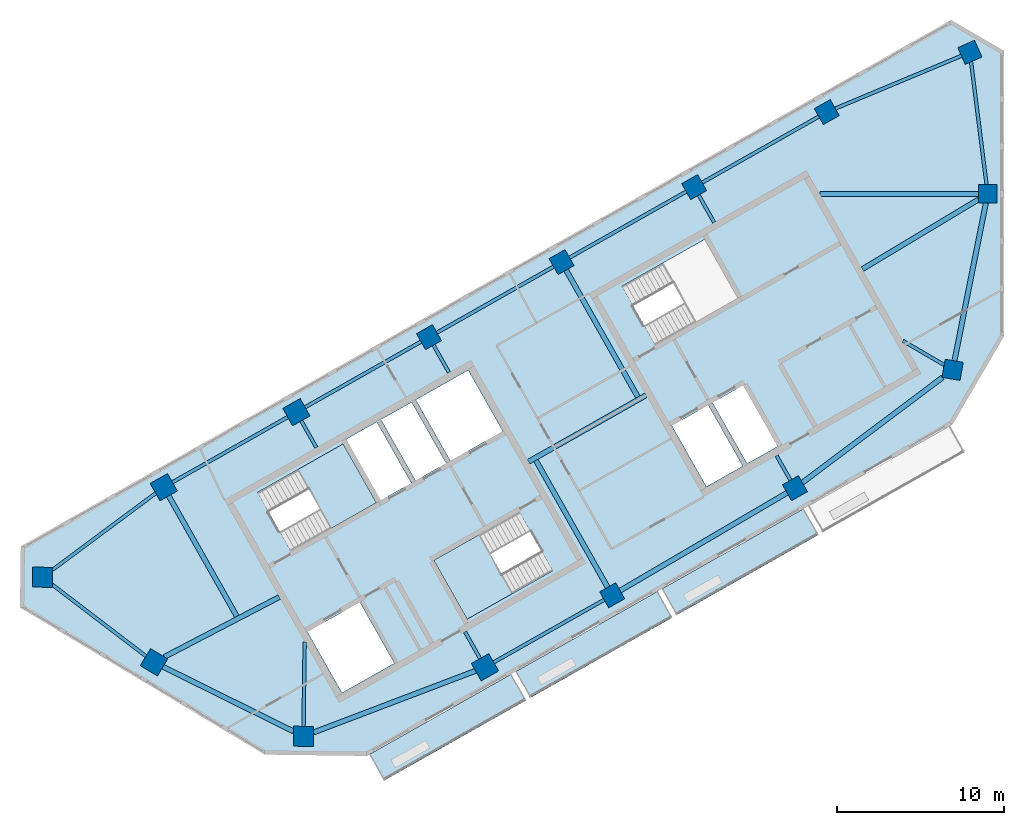
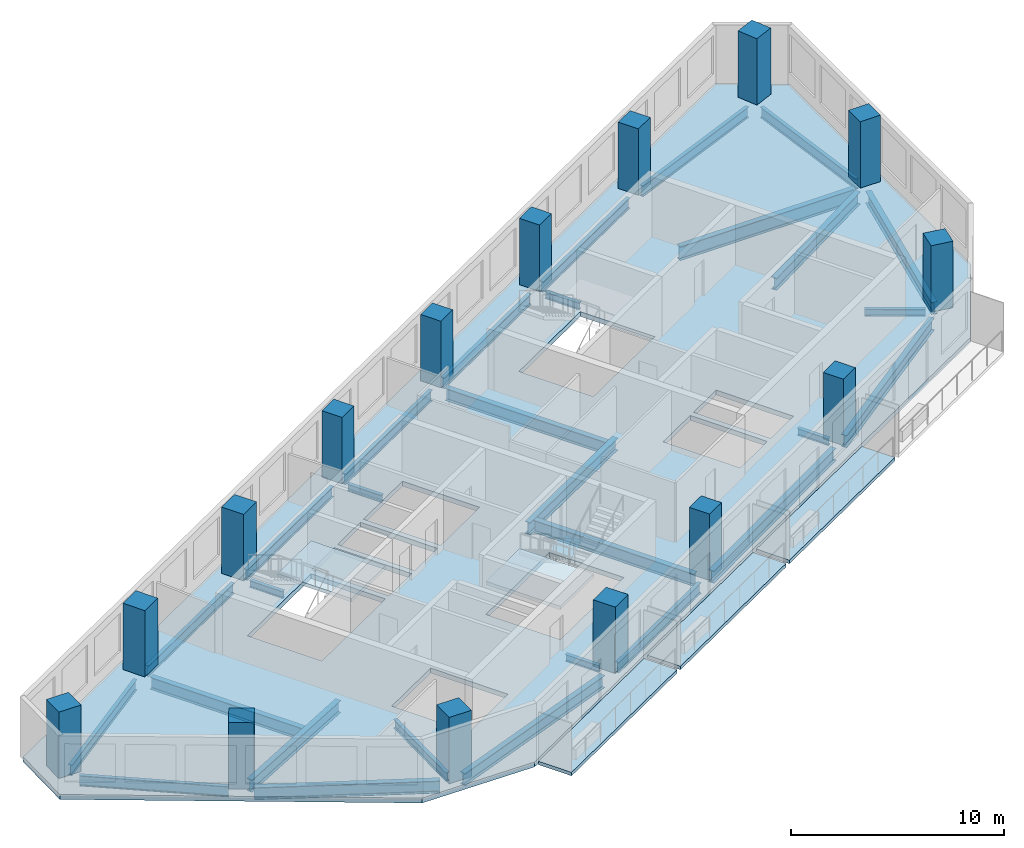
# One storey, part 1 of 7: 29 beams, 15 columns, 6 slabs, 2 elements without a shape of their own.
"""IFC4 building model written with IfcOpenShell, lengths in metres."""

from ifc_helpers import new_model, si_unit, direction, frame, origin, origin_2d, place, context, subcontext, project, spatial, polyline, rectangle, i_section, outline, extrude, material, layer, layer_set, material_profile, profile_set, type_object, element, aggregate, save


model = new_model("IFC4")

# Units and contexts
model_context = context("Model", 3, precision=1e-05, world=origin(), true_north=direction((0.0, 1.0)))
body_context = subcontext(model_context, "Body", "Model", "MODEL_VIEW")
ifc_project = project(units=[si_unit("LENGTHUNIT", "METRE"), si_unit("AREAUNIT", "SQUARE_METRE"), si_unit("VOLUMEUNIT", "CUBIC_METRE"), si_unit("PLANEANGLEUNIT", "RADIAN"), si_unit("MASSUNIT", "GRAM", prefix="KILO")], contexts=[model_context])

# Site, building, storey
site_placement = place(None, origin())
site = spatial("IfcSite", under=ifc_project, at=site_placement, CompositionType="ELEMENT")
building_placement = place(site_placement, origin())
building = spatial("IfcBuilding", under=site, at=building_placement, Name="Binnacle Exchange Tower", CompositionType="ELEMENT")
storey_placement = place(building_placement, frame((0.0, 0.0, 281.699951171875)))
storey = spatial("IfcBuildingStorey", under=building, at=storey_placement, Name="L63", CompositionType="ELEMENT", Elevation=281.699951171875)

# Columns
ifc_material_1 = material(Name="Concrete C60/75", Category="concrete")
ifc_material_profile_1 = material_profile(ifc_material_1, rectangle(XDim=1.10009765625, YDim=1.10009765625, at=origin_2d()), Name="Mega column 1100x1100 C60/75")
ifc_profile_set_1 = profile_set([ifc_material_profile_1], Name="Concrete C60/75")
column_type_1 = type_object("IfcColumnType", Name="Mega column 1100x1100 C60/75", PredefinedType="COLUMN", material=ifc_profile_set_1)
for number, where, z_axis, x_axis, name in (
    (1, (-10.4951171875, 64.901611328125, 0.0), (0.0, 0.0, 1.0), (-0.87035569594, -0.492423560103, 0.0), "S:COL:MC38:L63"),
    (2, (-18.44140625, 60.406005859375, 0.0), (0.0, 0.0, 1.0), (-0.87035569594, -0.492423560103, 0.0), "S:COL:MC29:L63"),
    (3, (-26.3876953125, 55.91015625, 0.0), (0.0, 0.0, 1.0), (-0.87035569594, -0.492423560103, 0.0), "S:COL:MC21:L63"),
    (4, (-34.333740234375, 51.414306640625, 0.0), (0.0, 0.0, 1.0), (-0.87035569594, -0.492423560103, 0.0), "S:COL:MC13:L63"),
    (5, (-23.35595703125, 35.9462890625, 0.0), (0.0, 0.0, 1.0), (0.87035569594, 0.492423560103, 0.0), "S:COL:MC16:L63"),
    (6, (-2.955322265625, 49.45556640625, 0.0), (0.0, 0.0, 1.0), (-0.98522612636, 0.171258517854, 0.0), "S:COL:MC43:L63"),
    (7, (-0.85009765625, 60.0, 0.0), (0.0, 0.0, 1.0), (0.0, 1.0, 0.0), "S:COL:MC45:L63"),
    (8, (-1.920166015625, 68.4833984375, 0.0), (0.0, 0.0, 1.0), (-0.91471298536, -0.40410413808, 0.0), "S:COL:MC44:L63"),
    (9, (-12.39990234375, 42.36328125, 0.0), (0.0, 0.0, 1.0), (0.87035569594, 0.492423560103, 0.0), "S:COL:MC30:L63"),
):
    element("IfcColumn", number, at=place(storey_placement, frame(where, z_axis=z_axis, x_axis=x_axis)), inside=storey, type_object=column_type_1, Name=name, PredefinedType="COLUMN", context=body_context, shape_type="SweptSolid", body=[
        extrude(rectangle(XDim=1.10009765625, YDim=1.10009765625, at=origin_2d()), origin(), (0.0, 0.0, 1.0), 3.800048828125),
    ])
ifc_material_profile_2 = material_profile(ifc_material_1, rectangle(XDim=1.199951171875, YDim=1.199951171875, at=origin_2d()), Name="Mega column 1200x1200 C60/75")
ifc_profile_set_2 = profile_set([ifc_material_profile_2], Name="Concrete C60/75")
column_type_2 = type_object("IfcColumnType", Name="Mega column 1200x1200 C60/75", PredefinedType="COLUMN", material=ifc_profile_set_2)
for number, where, z_axis, x_axis, name in (
    (10, (-42.280029296875, 46.918701171875, 0.0), (0.0, 0.0, 1.0), (-0.87035569594, -0.492423560103, 0.0), "S:COL:MC08:L63"),
    (11, (-50.226318359375, 42.4228515625, 0.0), (0.0, 0.0, 1.0), (-0.87035569594, -0.492423560103, 0.0), "S:COL:MC04:L63"),
    (12, (-57.492919921875, 37.02734375, 0.0), (0.0, 0.0, 1.0), (-0.013089595571, -0.999914327574, 0.0), "S:COL:MC02:L63"),
    (13, (-50.81201171875, 31.930908203125, 0.0), (0.0, 0.0, 1.0), (0.857167300702, -0.51503807491, 0.0), "S:COL:MC01:L63"),
    (14, (-41.857666015625, 27.494873046875, 0.0), (0.0, 0.0, 1.0), (0.999914327574, -0.013089595571, 0.0), "S:COL:MC03:L63"),
    (15, (-30.9755859375, 31.63525390625, 0.0), (0.0, 0.0, 1.0), (0.87035569594, 0.492423560103, 0.0), "S:COL:MC07:L63"),
):
    element("IfcColumn", number, at=place(storey_placement, frame(where, z_axis=z_axis, x_axis=x_axis)), inside=storey, type_object=column_type_2, Name=name, PredefinedType="COLUMN", context=body_context, shape_type="SweptSolid", body=[
        extrude(rectangle(XDim=1.199951171875, YDim=1.199951171875, at=origin_2d()), origin(), (0.0, 0.0, 1.0), 3.800048828125),
    ])

# Beams
ifc_material_2 = material(Name="Steel S355 (SHN355)", Category="steel")
ifc_material_profile_3 = material_profile(ifc_material_2, i_section(OverallWidth=0.199951171875, OverallDepth=0.60009765625, WebThickness=0.010986328125, FlangeThickness=0.01708984375, FilletRadius=0.02197265625, at=origin_2d()), Name="H 600x200x11x17")
ifc_profile_set_3 = profile_set([ifc_material_profile_3], Name="Steel S355 (SHN355)")
beam_type_1 = type_object("IfcBeamType", Name="Edge girder H 600x200x11x17 Steel S355 (SHN355)", PredefinedType="SPANDREL", material=ifc_profile_set_3)
beam_1_placement = place(storey_placement, frame((-56.89892578125, 36.57421875, -0.579833984375), z_axis=(0.795079526259, -0.606505191176, 0.0), x_axis=(0.606505191176, 0.795079526259, 0.0)))
element("IfcBeam", 16, at=beam_1_placement, inside=storey, type_object=beam_type_1, Name="S:BM:edge:L63:004", PredefinedType="SPANDREL", context=body_context, shape_type="SweptSolid", body=[
    extrude(i_section(OverallWidth=0.199951171875, OverallDepth=0.60009765625, WebThickness=0.010986328125, FlangeThickness=0.01708984375, FilletRadius=0.02197265625, at=origin_2d()), origin(), (0.0, 0.0, 1.0), 7.052001953125),
])
ifc_material_profile_4 = material_profile(ifc_material_2, i_section(OverallWidth=0.200927734375, OverallDepth=0.60595703125, WebThickness=0.011962890625, FlangeThickness=0.02001953125, FilletRadius=0.02197265625, at=origin_2d()), Name="H 606x201x12x20")
ifc_profile_set_4 = profile_set([ifc_material_profile_4], Name="Steel S355 (SHN355)")
beam_type_2 = type_object("IfcBeamType", Name="Edge girder H 606x201x12x20 Steel S355 (SHN355)", PredefinedType="SPANDREL", material=ifc_profile_set_4)
beam_2_placement = place(storey_placement, frame((-50.711669921875, 42.0625, -0.5830078125), z_axis=(-0.802889255085, -0.596128211099, 0.0), x_axis=(0.596128211099, -0.802889255085, 0.0)))
element("IfcBeam", 17, at=beam_2_placement, inside=storey, type_object=beam_type_2, Name="S:BM:edge:L63:005", PredefinedType="SPANDREL", context=body_context, shape_type="SweptSolid", body=[
    extrude(i_section(OverallWidth=0.200927734375, OverallDepth=0.60595703125, WebThickness=0.011962890625, FlangeThickness=0.02001953125, FilletRadius=0.02197265625, at=origin_2d()), origin(), (0.0, 0.0, 1.0), 7.691650390625),
])
beam_3_placement = place(storey_placement, frame((-30.453369140625, 31.930908203125, -0.5830078125), z_axis=(0.870370831478, 0.49239680717, 0.0), x_axis=(-0.49239680717, 0.870370831478, 0.0)))
element("IfcBeam", 18, at=beam_3_placement, inside=storey, type_object=beam_type_2, Name="S:BM:edge:L63:010", PredefinedType="SPANDREL", context=body_context, shape_type="SweptSolid", body=[
    extrude(i_section(OverallWidth=0.200927734375, OverallDepth=0.60595703125, WebThickness=0.011962890625, FlangeThickness=0.02001953125, FilletRadius=0.02197265625, at=origin_2d()), origin(), (0.0, 0.0, 1.0), 7.6044921875),
])
beam_4_placement = place(storey_placement, frame((-0.91943359375, 60.550048828125, -0.5830078125), z_axis=(-0.125160121745, 0.992136555079, 0.0), x_axis=(-0.992136555079, -0.125160121745, 0.0)))
element("IfcBeam", 19, at=beam_4_placement, inside=storey, type_object=beam_type_2, Name="S:BM:edge:L63:018", PredefinedType="SPANDREL", context=body_context, shape_type="SweptSolid", body=[
    extrude(i_section(OverallWidth=0.200927734375, OverallDepth=0.60595703125, WebThickness=0.011962890625, FlangeThickness=0.02001953125, FilletRadius=0.02197265625, at=origin_2d()), origin(), (0.0, 0.0, 1.0), 7.422119140625),
])
ifc_material_profile_5 = material_profile(ifc_material_2, i_section(OverallWidth=0.201904296875, OverallDepth=0.612060546875, WebThickness=0.012939453125, FlangeThickness=0.02294921875, FilletRadius=0.02197265625, at=origin_2d()), Name="H 612x202x13x23")
ifc_profile_set_5 = profile_set([ifc_material_profile_5], Name="Steel S355 (SHN355)")
beam_type_3 = type_object("IfcBeamType", Name="Edge girder H 612x202x13x23 Steel S355 (SHN355)", PredefinedType="SPANDREL", material=ifc_profile_set_5)
beam_5_placement = place(storey_placement, frame((-42.80224609375, 46.623291015625, -0.5859375), z_axis=(-0.870360926906, -0.492414314288, 0.0), x_axis=(0.492414314288, -0.870360926906, 0.0)))
element("IfcBeam", 20, at=beam_5_placement, inside=storey, type_object=beam_type_3, Name="S:BM:edge:L63:007", PredefinedType="SPANDREL", context=body_context, shape_type="SweptSolid", body=[
    extrude(i_section(OverallWidth=0.201904296875, OverallDepth=0.612060546875, WebThickness=0.012939453125, FlangeThickness=0.02294921875, FilletRadius=0.02197265625, at=origin_2d()), origin(), (0.0, 0.0, 1.0), 7.929931640625),
])
beam_6_placement = place(storey_placement, frame((-34.8125, 51.1435546875, -0.5859375), z_axis=(-0.870357059543, -0.492421149935, 0.0), x_axis=(0.492421149935, -0.870357059543, 0.0)))
element("IfcBeam", 21, at=beam_6_placement, inside=storey, type_object=beam_type_3, Name="S:BM:edge:L63:009", PredefinedType="SPANDREL", context=body_context, shape_type="SweptSolid", body=[
    extrude(i_section(OverallWidth=0.201904296875, OverallDepth=0.612060546875, WebThickness=0.012939453125, FlangeThickness=0.02294921875, FilletRadius=0.02197265625, at=origin_2d()), origin(), (0.0, 0.0, 1.0), 7.979736328125),
])
beam_7_placement = place(storey_placement, frame((-26.8662109375, 55.639404296875, -0.5859375), z_axis=(-0.870353240257, -0.492427900482, 0.0), x_axis=(0.492427900482, -0.870353240257, 0.0)))
element("IfcBeam", 22, at=beam_7_placement, inside=storey, type_object=beam_type_3, Name="S:BM:edge:L63:011", PredefinedType="SPANDREL", context=body_context, shape_type="SweptSolid", body=[
    extrude(i_section(OverallWidth=0.201904296875, OverallDepth=0.612060546875, WebThickness=0.012939453125, FlangeThickness=0.02294921875, FilletRadius=0.02197265625, at=origin_2d()), origin(), (0.0, 0.0, 1.0), 8.02978515625),
])
beam_8_placement = place(storey_placement, frame((-18.919921875, 60.13525390625, -0.5859375), z_axis=(-0.870347582166, -0.492437900875, 0.0), x_axis=(0.492437900875, -0.870347582166, 0.0)))
element("IfcBeam", 23, at=beam_8_placement, inside=storey, type_object=beam_type_3, Name="S:BM:edge:L63:013", PredefinedType="SPANDREL", context=body_context, shape_type="SweptSolid", body=[
    extrude(i_section(OverallWidth=0.201904296875, OverallDepth=0.612060546875, WebThickness=0.012939453125, FlangeThickness=0.02294921875, FilletRadius=0.02197265625, at=origin_2d()), origin(), (0.0, 0.0, 1.0), 8.030029296875),
])
beam_9_placement = place(storey_placement, frame((-10.973876953125, 64.630859375, -0.5859375), z_axis=(-0.870353240257, -0.492427900482, 0.0), x_axis=(0.492427900482, -0.870353240257, 0.0)))
element("IfcBeam", 24, at=beam_9_placement, inside=storey, type_object=beam_type_3, Name="S:BM:edge:L63:015", PredefinedType="SPANDREL", context=body_context, shape_type="SweptSolid", body=[
    extrude(i_section(OverallWidth=0.201904296875, OverallDepth=0.612060546875, WebThickness=0.012939453125, FlangeThickness=0.02294921875, FilletRadius=0.02197265625, at=origin_2d()), origin(), (0.0, 0.0, 1.0), 8.02978515625),
])
beam_10_placement = place(storey_placement, frame((-2.427734375, 68.271240234375, -0.5859375), z_axis=(-0.922746687756, -0.385406992977, 0.0), x_axis=(0.385406992977, -0.922746687756, 0.0)))
element("IfcBeam", 25, at=beam_10_placement, inside=storey, type_object=beam_type_3, Name="S:BM:edge:L63:017", PredefinedType="SPANDREL", context=body_context, shape_type="SweptSolid", body=[
    extrude(i_section(OverallWidth=0.201904296875, OverallDepth=0.612060546875, WebThickness=0.012939453125, FlangeThickness=0.02294921875, FilletRadius=0.02197265625, at=origin_2d()), origin(), (0.0, 0.0, 1.0), 8.188720703125),
])
ifc_material_profile_6 = material_profile(ifc_material_2, i_section(OverallWidth=0.300048828125, OverallDepth=0.699951171875, WebThickness=0.012939453125, FlangeThickness=0.02392578125, FilletRadius=0.028076171875, at=origin_2d()), Name="H 700x300x13x24")
ifc_profile_set_6 = profile_set([ifc_material_profile_6], Name="Steel S355 (SHN355)")
beam_type_4 = type_object("IfcBeamType", Name="Edge girder H 700x300x13x24 Steel S355 (SHN355)", PredefinedType="SPANDREL", material=ifc_profile_set_6)
beam_11_placement = place(storey_placement, frame((-50.272705078125, 31.663818359375, -0.6298828125), z_axis=(0.896066323919, -0.443920199066, 0.0), x_axis=(0.443920199066, 0.896066323919, 0.0)))
element("IfcBeam", 26, at=beam_11_placement, inside=storey, type_object=beam_type_4, Name="S:BM:edge:L63:006", PredefinedType="SPANDREL", context=body_context, shape_type="SweptSolid", body=[
    extrude(i_section(OverallWidth=0.300048828125, OverallDepth=0.699951171875, WebThickness=0.012939453125, FlangeThickness=0.02392578125, FilletRadius=0.028076171875, at=origin_2d()), origin(), (0.0, 0.0, 1.0), 8.725830078125),
])
beam_12_placement = place(storey_placement, frame((-41.254638671875, 27.724365234375, -0.6298828125), z_axis=(0.934635421438, 0.355607408519, 0.0), x_axis=(-0.355607408519, 0.934635421438, 0.0)))
element("IfcBeam", 27, at=beam_12_placement, inside=storey, type_object=beam_type_4, Name="S:BM:edge:L63:008", PredefinedType="SPANDREL", context=body_context, shape_type="SweptSolid", body=[
    extrude(i_section(OverallWidth=0.300048828125, OverallDepth=0.699951171875, WebThickness=0.012939453125, FlangeThickness=0.02392578125, FilletRadius=0.028076171875, at=origin_2d()), origin(), (0.0, 0.0, 1.0), 10.390869140625),
])
beam_13_placement = place(storey_placement, frame((-11.95654296875, 42.6962890625, -0.6298828125), z_axis=(0.799642767002, 0.600476015493, 0.0), x_axis=(-0.600476015493, 0.799642767002, 0.0)))
element("IfcBeam", 28, at=beam_13_placement, inside=storey, type_object=beam_type_4, Name="S:BM:edge:L63:014", PredefinedType="SPANDREL", context=body_context, shape_type="SweptSolid", body=[
    extrude(i_section(OverallWidth=0.300048828125, OverallDepth=0.699951171875, WebThickness=0.012939453125, FlangeThickness=0.02392578125, FilletRadius=0.028076171875, at=origin_2d()), origin(), (0.0, 0.0, 1.0), 10.50146484375),
])
beam_14_placement = place(storey_placement, frame((-2.84765625, 49.9951171875, -0.6298828125), z_axis=(0.195814210945, 0.980641012191, 0.0), x_axis=(-0.980641012191, 0.195814210945, 0.0)))
element("IfcBeam", 29, at=beam_14_placement, inside=storey, type_object=beam_type_4, Name="S:BM:edge:L63:016", PredefinedType="SPANDREL", context=body_context, shape_type="SweptSolid", body=[
    extrude(i_section(OverallWidth=0.300048828125, OverallDepth=0.699951171875, WebThickness=0.012939453125, FlangeThickness=0.02392578125, FilletRadius=0.028076171875, at=origin_2d()), origin(), (0.0, 0.0, 1.0), 9.6416015625),
])
ifc_material_profile_7 = material_profile(ifc_material_2, i_section(OverallWidth=0.302001953125, OverallDepth=0.7080078125, WebThickness=0.014892578125, FlangeThickness=0.028076171875, FilletRadius=0.028076171875, at=origin_2d()), Name="H 708x302x15x28")
ifc_profile_set_7 = profile_set([ifc_material_profile_7], Name="Steel S355 (SHN355)")
beam_type_5 = type_object("IfcBeamType", Name="Edge girder H 708x302x15x28 Steel S355 (SHN355)", PredefinedType="SPANDREL", material=ifc_profile_set_7)
beam_15_placement = place(storey_placement, frame((-22.88134765625, 36.22412109375, -0.634033203125), z_axis=(0.86288572191, 0.50539908085, 0.0), x_axis=(-0.50539908085, 0.86288572191, 0.0)))
element("IfcBeam", 30, at=beam_15_placement, inside=storey, type_object=beam_type_5, Name="S:BM:edge:L63:012", PredefinedType="SPANDREL", context=body_context, shape_type="SweptSolid", body=[
    extrude(i_section(OverallWidth=0.302001953125, OverallDepth=0.7080078125, WebThickness=0.014892578125, FlangeThickness=0.028076171875, FilletRadius=0.028076171875, at=origin_2d()), origin(), (0.0, 0.0, 1.0), 11.596923828125),
])
ifc_material_profile_8 = material_profile(ifc_material_2, i_section(OverallWidth=0.199951171875, OverallDepth=0.39990234375, WebThickness=0.008056640625, FlangeThickness=0.012939453125, FilletRadius=0.01611328125, at=origin_2d()), Name="H 400x200x8x13")
ifc_profile_set_8 = profile_set([ifc_material_profile_8], Name="Steel S355 (SHN355)")
beam_type_6 = type_object("IfcBeamType", Name="Floor beam H 400x200x8x13 Steel S355 (SHN355)", PredefinedType="BEAM", material=ifc_profile_set_8)
beam_16_placement = place(storey_placement, frame((-41.984619140625, 46.396484375, -0.47998046875), z_axis=(0.492465079532, -0.87033220407, 0.0), x_axis=(0.87033220407, 0.492465079532, 0.0)))
element("IfcBeam", 31, at=beam_16_placement, inside=storey, type_object=beam_type_6, Name="S:BM:cross:L63:020", PredefinedType="BEAM", context=body_context, shape_type="SweptSolid", body=[
    extrude(i_section(OverallWidth=0.199951171875, OverallDepth=0.39990234375, WebThickness=0.008056640625, FlangeThickness=0.012939453125, FilletRadius=0.01611328125, at=origin_2d()), origin(), (0.0, 0.0, 1.0), 1.834228515625),
])
beam_17_placement = place(storey_placement, frame((-34.06298828125, 50.935791015625, -0.47998046875), z_axis=(0.492437150105, -0.870348006947, 0.0), x_axis=(0.870348006947, 0.492437150105, 0.0)))
element("IfcBeam", 32, at=beam_17_placement, inside=storey, type_object=beam_type_6, Name="S:BM:cross:L63:022", PredefinedType="BEAM", context=body_context, shape_type="SweptSolid", body=[
    extrude(i_section(OverallWidth=0.199951171875, OverallDepth=0.39990234375, WebThickness=0.008056640625, FlangeThickness=0.012939453125, FilletRadius=0.01611328125, at=origin_2d()), origin(), (0.0, 0.0, 1.0), 1.884521484375),
])
beam_18_placement = place(storey_placement, frame((-31.27099609375, 32.157470703125, -0.47998046875), z_axis=(-0.492465079532, 0.87033220407, 0.0), x_axis=(-0.87033220407, -0.492465079532, 0.0)))
element("IfcBeam", 33, at=beam_18_placement, inside=storey, type_object=beam_type_6, Name="S:BM:cross:L63:023", PredefinedType="BEAM", context=body_context, shape_type="SweptSolid", body=[
    extrude(i_section(OverallWidth=0.199951171875, OverallDepth=0.39990234375, WebThickness=0.008056640625, FlangeThickness=0.012939453125, FilletRadius=0.01611328125, at=origin_2d()), origin(), (0.0, 0.0, 1.0), 1.834228515625),
])
beam_19_placement = place(storey_placement, frame((-18.17041015625, 59.92724609375, -0.47998046875), z_axis=(0.492394529663, -0.870372119934, 0.0), x_axis=(0.870372119934, 0.492394529663, 0.0)))
element("IfcBeam", 34, at=beam_19_placement, inside=storey, type_object=beam_type_6, Name="S:BM:cross:L63:026", PredefinedType="BEAM", context=body_context, shape_type="SweptSolid", body=[
    extrude(i_section(OverallWidth=0.199951171875, OverallDepth=0.39990234375, WebThickness=0.008056640625, FlangeThickness=0.012939453125, FilletRadius=0.01611328125, at=origin_2d()), origin(), (0.0, 0.0, 1.0), 1.884033203125),
])
beam_20_placement = place(storey_placement, frame((-12.6708984375, 42.841796875, -0.47998046875), z_axis=(-0.492394350893, 0.870372221069, 0.0), x_axis=(-0.870372221069, -0.492394350893, 0.0)))
element("IfcBeam", 35, at=beam_20_placement, inside=storey, type_object=beam_type_6, Name="S:BM:cross:L63:027", PredefinedType="BEAM", context=body_context, shape_type="SweptSolid", body=[
    extrude(i_section(OverallWidth=0.199951171875, OverallDepth=0.39990234375, WebThickness=0.008056640625, FlangeThickness=0.012939453125, FilletRadius=0.01611328125, at=origin_2d()), origin(), (0.0, 0.0, 1.0), 1.6943359375),
])
beam_21_placement = place(storey_placement, frame((-3.46240234375, 49.751220703125, -0.47998046875), z_axis=(-0.863840862356, 0.503764790874, 0.0), x_axis=(-0.503764790874, -0.863840862356, 0.0)))
element("IfcBeam", 36, at=beam_21_placement, inside=storey, type_object=beam_type_6, Name="S:BM:cross:L63:028", PredefinedType="BEAM", context=body_context, shape_type="SweptSolid", body=[
    extrude(i_section(OverallWidth=0.199951171875, OverallDepth=0.39990234375, WebThickness=0.008056640625, FlangeThickness=0.012939453125, FilletRadius=0.01611328125, at=origin_2d()), origin(), (0.0, 0.0, 1.0), 2.85791015625),
])
ifc_material_profile_9 = material_profile(ifc_material_2, i_section(OverallWidth=0.200927734375, OverallDepth=0.506103515625, WebThickness=0.010986328125, FlangeThickness=0.01904296875, FilletRadius=0.02001953125, at=origin_2d()), Name="H 506x201x11x19")
ifc_profile_set_9 = profile_set([ifc_material_profile_9], Name="Steel S355 (SHN355)")
beam_type_7 = type_object("IfcBeamType", Name="Floor beam H 506x201x11x19 Steel S355 (SHN355)", PredefinedType="BEAM", material=ifc_profile_set_9)
beam_22_placement = place(storey_placement, frame((-41.849853515625, 28.0947265625, -0.532958984375), z_axis=(0.013099523714, 0.999914197558, 0.0), x_axis=(-0.999914197558, 0.013099523714, 0.0)))
element("IfcBeam", 37, at=beam_22_placement, inside=storey, type_object=beam_type_7, Name="S:BM:cross:L63:021", PredefinedType="BEAM", context=body_context, shape_type="SweptSolid", body=[
    extrude(i_section(OverallWidth=0.200927734375, OverallDepth=0.506103515625, WebThickness=0.010986328125, FlangeThickness=0.01904296875, FilletRadius=0.02001953125, at=origin_2d()), origin(), (0.0, 0.0, 1.0), 5.05078125),
])
ifc_material_profile_10 = material_profile(ifc_material_2, i_section(OverallWidth=0.300048828125, OverallDepth=0.699951171875, WebThickness=0.012939453125, FlangeThickness=0.02392578125, FilletRadius=0.028076171875, at=origin_2d()), Name="H 700x300x13x24")
ifc_profile_set_10 = profile_set([ifc_material_profile_10], Name="Steel S355 (SHN355)")
beam_type_8 = type_object("IfcBeamType", Name="Floor beam H 700x300x13x24 Steel S355 (SHN355)", PredefinedType="BEAM", material=ifc_profile_set_10)
beam_23_placement = place(storey_placement, frame((-49.9306640625, 41.900634765625, -0.6298828125), z_axis=(0.492421066821, -0.870357106566, 0.0), x_axis=(0.870357106566, 0.492421066821, 0.0)))
element("IfcBeam", 38, at=beam_23_placement, inside=storey, type_object=beam_type_8, Name="S:BM:cross:L63:019", PredefinedType="BEAM", context=body_context, shape_type="SweptSolid", body=[
    extrude(i_section(OverallWidth=0.300048828125, OverallDepth=0.699951171875, WebThickness=0.012939453125, FlangeThickness=0.02392578125, FilletRadius=0.028076171875, at=origin_2d()), origin(), (0.0, 0.0, 1.0), 8.291259765625),
])
ifc_material_profile_11 = material_profile(ifc_material_2, i_section(OverallWidth=0.302001953125, OverallDepth=0.7080078125, WebThickness=0.014892578125, FlangeThickness=0.028076171875, FilletRadius=0.028076171875, at=origin_2d()), Name="H 708x302x15x28")
ifc_profile_set_11 = profile_set([ifc_material_profile_11], Name="Steel S355 (SHN355)")
beam_type_9 = type_object("IfcBeamType", Name="Floor beam H 708x302x15x28 Steel S355 (SHN355)", PredefinedType="BEAM", material=ifc_profile_set_11)
beam_24_placement = place(storey_placement, frame((-26.11669921875, 55.431396484375, -0.634033203125), z_axis=(0.492413671625, -0.870361290497, 0.0), x_axis=(0.870361290497, 0.492413671625, 0.0)))
element("IfcBeam", 39, at=beam_24_placement, inside=storey, type_object=beam_type_9, Name="S:BM:cross:L63:024", PredefinedType="BEAM", context=body_context, shape_type="SweptSolid", body=[
    extrude(i_section(OverallWidth=0.302001953125, OverallDepth=0.7080078125, WebThickness=0.014892578125, FlangeThickness=0.028076171875, FilletRadius=0.028076171875, at=origin_2d()), origin(), (0.0, 0.0, 1.0), 8.734130859375),
])
beam_25_placement = place(storey_placement, frame((-23.626708984375, 36.4248046875, -0.634033203125), z_axis=(-0.492422866295, 0.870356088477, 0.0), x_axis=(-0.870356088477, -0.492422866295, 0.0)))
element("IfcBeam", 40, at=beam_25_placement, inside=storey, type_object=beam_type_9, Name="S:BM:cross:L63:025", PredefinedType="BEAM", context=body_context, shape_type="SweptSolid", body=[
    extrude(i_section(OverallWidth=0.302001953125, OverallDepth=0.7080078125, WebThickness=0.014892578125, FlangeThickness=0.028076171875, FilletRadius=0.028076171875, at=origin_2d()), origin(), (0.0, 0.0, 1.0), 8.734375),
])
ifc_material_profile_12 = material_profile(ifc_material_2, i_section(OverallWidth=0.300048828125, OverallDepth=0.800048828125, WebThickness=0.013916015625, FlangeThickness=0.02587890625, FilletRadius=0.028076171875, at=origin_2d()), Name="H 800x300x14x26")
ifc_profile_set_12 = profile_set([ifc_material_profile_12], Name="Steel S355 (SHN355)")
beam_type_10 = type_object("IfcBeamType", Name="Floor beam H 800x300x14x26 Steel S355 (SHN355)", PredefinedType="BEAM", material=ifc_profile_set_12)
beam_26_placement = place(storey_placement, frame((-1.39990234375, 60.0, -0.679931640625), z_axis=(-1.0, 0.0, 0.0), x_axis=(0.0, -1.0, 0.0)))
element("IfcBeam", 41, at=beam_26_placement, inside=storey, type_object=beam_type_10, Name="S:BM:cross:L63:029", PredefinedType="BEAM", context=body_context, shape_type="SweptSolid", body=[
    extrude(i_section(OverallWidth=0.300048828125, OverallDepth=0.800048828125, WebThickness=0.013916015625, FlangeThickness=0.02587890625, FilletRadius=0.028076171875, at=origin_2d()), origin(), (0.0, 0.0, 1.0), 9.51513671875),
])
ifc_material_profile_13 = material_profile(ifc_material_2, i_section(OverallWidth=0.300048828125, OverallDepth=0.699951171875, WebThickness=0.012939453125, FlangeThickness=0.02392578125, FilletRadius=0.028076171875, at=origin_2d()), Name="H 700x300x13x24")
ifc_profile_set_13 = profile_set([ifc_material_profile_13], Name="Steel S355 (SHN355)")
beam_type_11 = type_object("IfcBeamType", Name="Spine girder H 700x300x13x24 Steel S355 (SHN355)", PredefinedType="BEAM", material=ifc_profile_set_13)
beam_27_placement = place(storey_placement, frame((-50.18798828125, 32.255859375, -0.6298828125), z_axis=(0.886980159322, 0.461807532387, 0.0), x_axis=(-0.461807532387, 0.886980159322, 0.0)))
element("IfcBeam", 42, at=beam_27_placement, inside=storey, type_object=beam_type_11, Name="S:BM:spine:L63:001", PredefinedType="BEAM", context=body_context, shape_type="SweptSolid", body=[
    extrude(i_section(OverallWidth=0.300048828125, OverallDepth=0.699951171875, WebThickness=0.012939453125, FlangeThickness=0.02392578125, FilletRadius=0.028076171875, at=origin_2d()), origin(), (0.0, 0.0, 1.0), 7.757080078125),
])
beam_28_placement = place(storey_placement, frame((-8.36328125, 55.489990234375, -0.6298828125), z_axis=(0.857389464427, 0.514668151618, 0.0), x_axis=(-0.514668151618, 0.857389464427, 0.0)))
element("IfcBeam", 43, at=beam_28_placement, inside=storey, type_object=beam_type_11, Name="S:BM:spine:L63:003", PredefinedType="BEAM", context=body_context, shape_type="SweptSolid", body=[
    extrude(i_section(OverallWidth=0.300048828125, OverallDepth=0.699951171875, WebThickness=0.012939453125, FlangeThickness=0.02392578125, FilletRadius=0.028076171875, at=origin_2d()), origin(), (0.0, 0.0, 1.0), 8.12158203125),
])
ifc_material_profile_14 = material_profile(ifc_material_2, i_section(OverallWidth=0.302001953125, OverallDepth=0.7080078125, WebThickness=0.014892578125, FlangeThickness=0.028076171875, FilletRadius=0.028076171875, at=origin_2d()), Name="H 708x302x15x28")
ifc_profile_set_14 = profile_set([ifc_material_profile_14], Name="Steel S355 (SHN355)")
beam_type_12 = type_object("IfcBeamType", Name="Spine girder H 708x302x15x28 Steel S355 (SHN355)", PredefinedType="BEAM", material=ifc_profile_set_14)
beam_29_placement = place(storey_placement, frame((-28.365478515625, 43.951416015625, -0.634033203125), z_axis=(0.870350319004, 0.492433063684, 0.0), x_axis=(-0.492433063684, 0.870350319004, 0.0)))
element("IfcBeam", 44, at=beam_29_placement, inside=storey, type_object=beam_type_12, Name="S:BM:spine:L63:002", PredefinedType="BEAM", context=body_context, shape_type="SweptSolid", body=[
    extrude(i_section(OverallWidth=0.302001953125, OverallDepth=0.7080078125, WebThickness=0.014892578125, FlangeThickness=0.028076171875, FilletRadius=0.028076171875, at=origin_2d()), origin(), (0.0, 0.0, 1.0), 8.0908203125),
])

# Slabs
ifc_material_3 = material(Name="Concrete C35/45", Category="concrete")
ifc_layer_1 = layer(ifc_material_3, 0.199951171875)
ifc_layer_set_1 = layer_set([ifc_layer_1], Name="BALCONY SLAB 200")
slab_type_1 = type_object("IfcSlabType", Name="BALCONY SLAB 200", PredefinedType="FLOOR", material=ifc_layer_set_1)
slab_1_placement = place(storey_placement, frame((0.0, 0.0, -0.199951171875)))
element("IfcSlab", 45, at=slab_1_placement, inside=storey, type_object=slab_type_1, Name="Balcony BA-H07-00 L63", PredefinedType="FLOOR", context=body_context, shape_type="SweptSolid", body=[
    extrude(outline(polyline([(-37.90576171875, 26.410400390625), (-29.40380859375, 31.220458984375), (-28.517578125, 29.65380859375), (-37.019287109375, 24.84375), (-37.90576171875, 26.410400390625)])), origin(), (0.0, 0.0, 1.0), 0.199951171875),
])
slab_2_placement = place(storey_placement, frame((0.0, 0.0, -0.199951171875)))
element("IfcSlab", 46, at=slab_2_placement, inside=storey, type_object=slab_type_1, Name="Balcony BA-H07-01 L63", PredefinedType="FLOOR", context=body_context, shape_type="SweptSolid", body=[
    extrude(outline(polyline([(-29.142822265625, 31.3681640625), (-20.64111328125, 36.17822265625), (-19.754638671875, 34.611572265625), (-28.25634765625, 29.801513671875), (-29.142822265625, 31.3681640625)])), origin(), (0.0, 0.0, 1.0), 0.199951171875),
])
slab_3_placement = place(storey_placement, frame((0.0, 0.0, -0.199951171875)))
element("IfcSlab", 47, at=slab_3_placement, inside=storey, type_object=slab_type_1, Name="Balcony BA-H07-02 L63", PredefinedType="FLOOR", context=body_context, shape_type="SweptSolid", body=[
    extrude(outline(polyline([(-20.3798828125, 36.325927734375), (-11.878173828125, 41.135986328125), (-10.99169921875, 39.5693359375), (-19.493408203125, 34.759521484375), (-20.3798828125, 36.325927734375)])), origin(), (0.0, 0.0, 1.0), 0.199951171875),
])
ifc_layer_2 = layer(ifc_material_3, 0.280029296875)
ifc_layer_set_2 = layer_set([ifc_layer_2], Name="Floor slab 280 Concrete C35/45")
slab_type_2 = type_object("IfcSlabType", Name="Floor slab 280 Concrete C35/45", PredefinedType="FLOOR", material=ifc_layer_set_2)
slab_4_placement = place(storey_placement, frame((0.0, 0.0, -0.280029296875)))
element("IfcSlab", 48, at=slab_4_placement, inside=storey, type_object=slab_type_2, Name="S:SL:L63:01", PredefinedType="FLOOR", context=body_context, shape_type="SweptSolid", body=[
    extrude(outline(polyline([(-38.097900390625, 26.4453125), (-44.14404296875, 26.5244140625), (-58.716064453125, 35.280029296875), (-58.669921875, 38.80615234375), (-3.046142578125, 70.276611328125), (0.0, 68.5), (0.0, 51.5), (-3.046142578125, 46.276611328125), (-38.097900390625, 26.4453125)]), holes=[polyline([(-38.4794921875, 35.529296875), (-41.61279296875, 33.756591796875), (-39.544677734375, 30.10107421875), (-36.411376953125, 31.873779296875), (-38.4794921875, 35.529296875)]), polyline([(-32.04638671875, 34.515625), (-26.9287109375, 37.4111328125), (-28.923095703125, 40.93603515625), (-34.040771484375, 38.04052734375), (-32.04638671875, 34.515625)]), polyline([(-39.480712890625, 45.01611328125), (-44.598388671875, 42.12060546875), (-42.604248046875, 38.595703125), (-37.486572265625, 41.4912109375), (-39.480712890625, 45.01611328125)]), polyline([(-37.4658203125, 46.32861328125), (-39.293701171875, 45.29443359375), (-37.225341796875, 41.638916015625), (-35.397705078125, 42.673095703125), (-37.4658203125, 46.32861328125)]), polyline([(-17.598876953125, 47.343017578125), (-19.77490234375, 46.11181640625), (-17.70654296875, 42.456298828125), (-15.53076171875, 43.6875), (-17.598876953125, 47.343017578125)]), polyline([(-35.376953125, 47.51025390625), (-37.20458984375, 46.476318359375), (-35.136474609375, 42.82080078125), (-33.308837890625, 43.854736328125), (-35.376953125, 47.51025390625)]), polyline([(-15.510009765625, 48.52490234375), (-17.337890625, 47.49072265625), (-15.26953125, 43.835205078125), (-13.44189453125, 44.869384765625), (-15.510009765625, 48.52490234375)]), polyline([(-29.914306640625, 45.775390625), (-31.982666015625, 49.430908203125), (-35.115966796875, 47.657958984375), (-33.047607421875, 44.00244140625), (-29.914306640625, 45.775390625)]), polyline([(-15.822509765625, 53.748046875), (-17.81689453125, 57.27294921875), (-22.760498046875, 54.47607421875), (-20.76611328125, 50.950927734375), (-15.822509765625, 53.748046875)])]), origin(), (0.0, 0.0, 1.0), 0.280029296875),
])

# Stair, slab
stair_type = type_object("IfcStairType", Name="STAIR 22 RISERS 173", PredefinedType="HALF_TURN_STAIR", material=ifc_material_3)
stair_1_placement = place(storey_placement, origin())
stair_1 = element("IfcStair", 49, at=stair_1_placement, inside=storey, type_object=stair_type, Name="L63 Escape stair A1", PredefinedType="HALF_TURN_STAIR")
ifc_layer_3 = layer(ifc_material_3, 0.199951171875)
ifc_layer_set_3 = layer_set([ifc_layer_3], Name="STAIR LANDING 200")
slab_type_3 = type_object("IfcSlabType", Name="STAIR LANDING 200", PredefinedType="LANDING", material=ifc_layer_set_3)
slab_5_placement = place(storey_placement, frame((0.0, 0.0, 1.699951171875)))
slab_5 = element("IfcSlab", 50, at=slab_5_placement, type_object=slab_type_3, Name="STA1 landing 1", PredefinedType="LANDING", context=body_context, shape_type="SweptSolid", body=[
    extrude(outline(polyline([(-40.2021484375, 39.954833984375), (-37.486572265625, 41.4912109375), (-39.48095703125, 45.01611328125), (-42.1962890625, 43.479736328125), (-40.2021484375, 39.954833984375)])), origin(), (0.0, 0.0, 1.0), 0.2001953125),
])
aggregate(stair_1, [slab_5])

stair_2_placement = place(storey_placement, origin())
stair_2 = element("IfcStair", 51, at=stair_2_placement, inside=storey, type_object=stair_type, Name="L63 Escape stair A2", PredefinedType="HALF_TURN_STAIR")
slab_6_placement = place(storey_placement, frame((0.0, 0.0, 1.699951171875)))
slab_6 = element("IfcSlab", 52, at=slab_6_placement, type_object=slab_type_3, Name="STA2 landing 1", PredefinedType="LANDING", context=body_context, shape_type="SweptSolid", body=[
    extrude(outline(polyline([(-31.3251953125, 39.576904296875), (-34.040771484375, 38.04052734375), (-32.04638671875, 34.515625), (-29.330810546875, 36.052001953125), (-31.3251953125, 39.576904296875)])), origin(), (0.0, 0.0, 1.0), 0.2001953125),
])
aggregate(stair_2, [slab_6])

save(model, "model.ifc")
